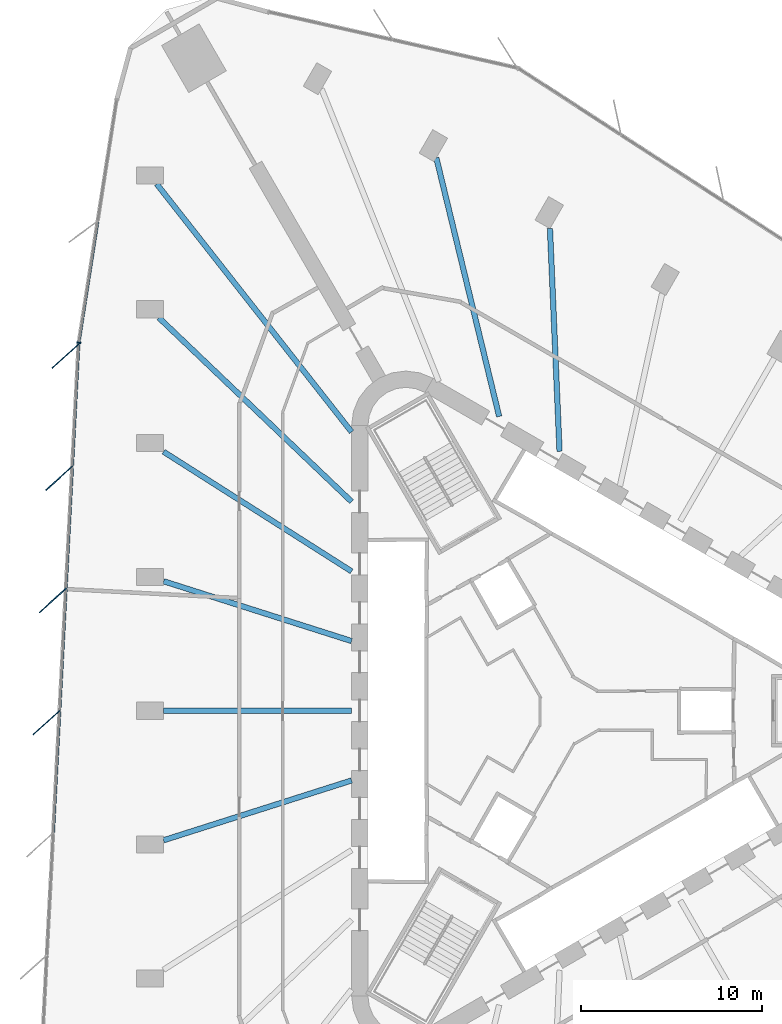
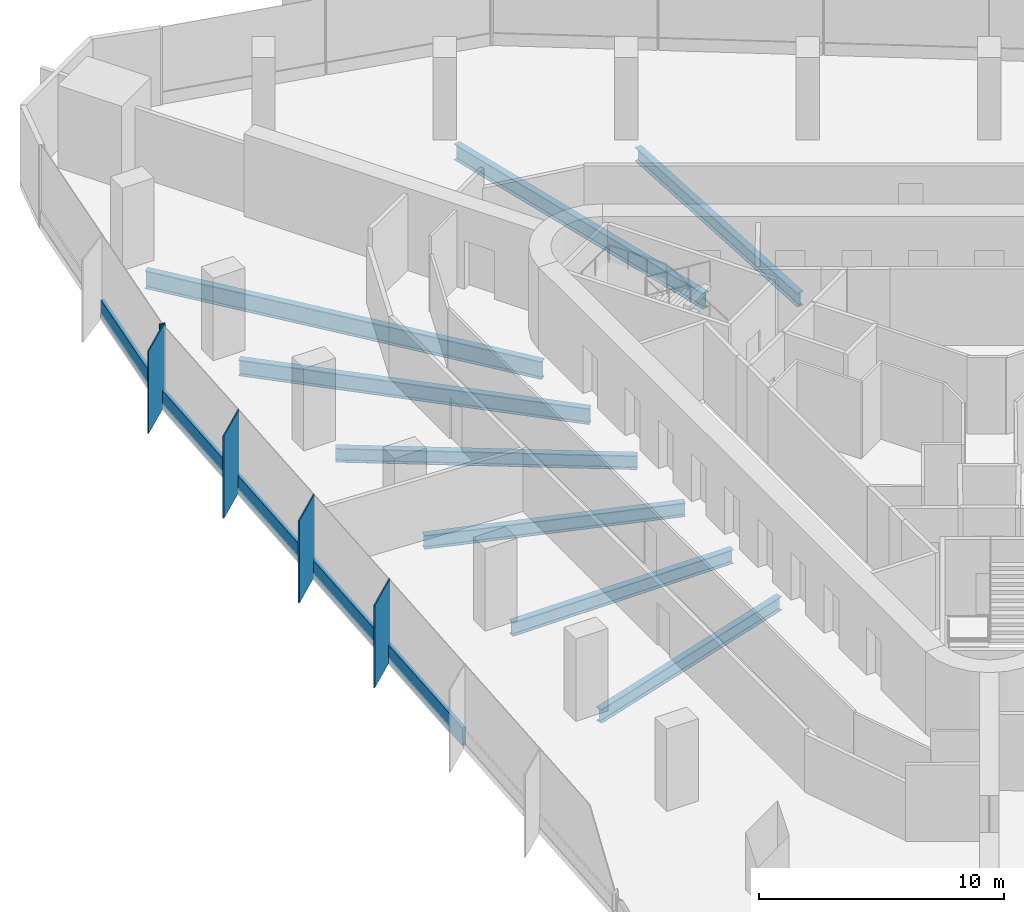
# One storey, part 4 of 14: 10 members, 8 beams, 2 elements without a shape of their own.
"""IFC4 building model written with IfcOpenShell, lengths in metres."""

from ifc_helpers import new_model, si_unit, direction, frame, origin, origin_2d, place, context, subcontext, project, spatial, rectangle, i_section, extrude, material, material_profile, profile_set, type_object, element, aggregate, save


model = new_model("IFC4")

# Units and contexts
model_context = context("Model", 3, precision=1e-05, world=origin(), true_north=direction((0.0, 1.0)))
body_context = subcontext(model_context, "Body", "Model", "MODEL_VIEW")
ifc_project = project(units=[si_unit("LENGTHUNIT", "METRE"), si_unit("AREAUNIT", "SQUARE_METRE"), si_unit("VOLUMEUNIT", "CUBIC_METRE"), si_unit("PLANEANGLEUNIT", "RADIAN"), si_unit("MASSUNIT", "GRAM", prefix="KILO")], contexts=[model_context])

# Site, building, storey
site_placement = place(None, origin())
site = spatial("IfcSite", under=ifc_project, at=site_placement, CompositionType="ELEMENT")
building_placement = place(site_placement, origin())
building = spatial("IfcBuilding", under=site, at=building_placement, Name="Tanit Gate Tower", CompositionType="ELEMENT")
storey_placement = place(building_placement, frame((0.0, 0.0, 74.199951171875)))
storey = spatial("IfcBuildingStorey", under=building, at=storey_placement, Name="L14", CompositionType="ELEMENT", Elevation=74.199951171875)

# Curtain wall, members
ifc_material_1 = material(Name="Aluminium bronze anodised and glass", Category="aluminium")
curtain_wall_type = type_object("IfcCurtainWallType", Name="Curtain wall typical low", PredefinedType="NOTDEFINED", material=ifc_material_1)
curtain_wall_1_placement = place(storey_placement, origin())
curtain_wall_1 = element("IfcCurtainWall", 1, at=curtain_wall_1_placement, inside=storey, type_object=curtain_wall_type, Name="Curtain wall L14 W2", PredefinedType="NOTDEFINED")
ifc_material_2 = material(Name="Aluminium bronze anodised", Category="aluminium")
ifc_material_profile_1 = material_profile(ifc_material_2, rectangle(XDim=2.0, YDim=0.055908203125, at=origin_2d()), Name="56x2000 bronze fin mullion")
ifc_profile_set_1 = profile_set([ifc_material_profile_1], Name="Aluminium bronze anodised")
member_type_1 = type_object("IfcMemberType", Name="FIN MULLION 56x2000 bronze", PredefinedType="MULLION", material=ifc_profile_set_1)
member_1_placement = place(storey_placement, frame((-27.902587890625, 19.58984375, -0.300048828125), z_axis=(0.0, 0.0, 1.0), x_axis=(0.742829073656, 0.66948111798, 0.0)))
member_1 = element("IfcMember", 2, at=member_1_placement, type_object=member_type_1, Name="Fin mullion L14 W2.1", PredefinedType="MULLION", context=body_context, shape_type="SweptSolid", body=[
    extrude(rectangle(XDim=2.0, YDim=0.055908203125, at=origin_2d()), origin(), (0.0, 0.0, 1.0), 4.10009765625),
])
member_2_placement = place(storey_placement, frame((-28.253173828125, 12.84228515625, -0.300048828125), z_axis=(0.0, 0.0, 1.0), x_axis=(0.742829073656, 0.66948111798, 0.0)))
member_2 = element("IfcMember", 3, at=member_2_placement, type_object=member_type_1, Name="Fin mullion L14 W2.2", PredefinedType="MULLION", context=body_context, shape_type="SweptSolid", body=[
    extrude(rectangle(XDim=2.0, YDim=0.055908203125, at=origin_2d()), origin(), (0.0, 0.0, 1.0), 4.10009765625),
])
member_3_placement = place(storey_placement, frame((-28.603515625, 6.0947265625, -0.300048828125), z_axis=(0.0, 0.0, 1.0), x_axis=(0.742829073656, 0.66948111798, 0.0)))
member_3 = element("IfcMember", 4, at=member_3_placement, type_object=member_type_1, Name="Fin mullion L14 W2.3", PredefinedType="MULLION", context=body_context, shape_type="SweptSolid", body=[
    extrude(rectangle(XDim=2.0, YDim=0.055908203125, at=origin_2d()), origin(), (0.0, 0.0, 1.0), 4.10009765625),
])
member_4_placement = place(storey_placement, frame((-28.953857421875, -0.65283203125, -0.300048828125), z_axis=(0.0, 0.0, 1.0), x_axis=(0.742829073656, 0.66948111798, 0.0)))
member_4 = element("IfcMember", 5, at=member_4_placement, type_object=member_type_1, Name="Fin mullion L14 W2.4", PredefinedType="MULLION", context=body_context, shape_type="SweptSolid", body=[
    extrude(rectangle(XDim=2.0, YDim=0.055908203125, at=origin_2d()), origin(), (0.0, 0.0, 1.0), 4.10009765625),
])

# Curtain wall, member
curtain_wall_2_placement = place(storey_placement, origin())
curtain_wall_2 = element("IfcCurtainWall", 6, at=curtain_wall_2_placement, inside=storey, type_object=curtain_wall_type, Name="Curtain wall L14 W1", PredefinedType="NOTDEFINED")
ifc_material_3 = material(Name="Aluminium bronze anodised", Category="aluminium")
ifc_material_profile_2 = material_profile(ifc_material_3, rectangle(XDim=0.239990234375, YDim=0.080078125, at=origin_2d()), Name="80x240 bronze mullion")
ifc_profile_set_2 = profile_set([ifc_material_profile_2], Name="Aluminium bronze anodised")
member_type_2 = type_object("IfcMemberType", Name="Mullion 80x240 typical low", PredefinedType="MULLION", material=ifc_profile_set_2)
member_5_placement = place(storey_placement, frame((-27.16845703125, 20.32373046875, -0.300048828125), z_axis=(0.0, 0.0, 1.0), x_axis=(0.988076704336, -0.153962418624, 0.0)))
member_5 = element("IfcMember", 7, at=member_5_placement, type_object=member_type_2, Name="Mullion L14 W1.3", PredefinedType="MULLION", context=body_context, shape_type="SweptSolid", body=[
    extrude(rectangle(XDim=0.239990234375, YDim=0.080078125, at=origin_2d()), origin(), (0.0, 0.0, 1.0), 4.10009765625),
])

# Beams
ifc_material_4 = material(Name="Steel S355", Category="steel")
ifc_material_profile_3 = material_profile(ifc_material_4, i_section(OverallWidth=0.300048828125, OverallDepth=0.68994140625, WebThickness=0.014404296875, FlangeThickness=0.027099609375, FilletRadius=0.027099609375, at=origin_2d()), Name="HEA 700")
ifc_profile_set_3 = profile_set([ifc_material_profile_3], Name="Steel S355")
beam_type_1 = type_object("IfcBeamType", Name="RADIAL GIRDER HEA 700 S355", PredefinedType="BEAM", material=ifc_profile_set_3)
beam_1_placement = place(storey_placement, frame((-22.485595703125, -7.15283203125, -0.64501953125), z_axis=(0.952942551403, 0.303150942148, 0.0), x_axis=(-0.303150942148, 0.952942551403, 0.0)))
element("IfcBeam", 8, at=beam_1_placement, inside=storey, type_object=beam_type_1, Name="RADIAL GIRDER", PredefinedType="BEAM", context=body_context, shape_type="SweptSolid", body=[
    extrude(i_section(OverallWidth=0.300048828125, OverallDepth=0.68994140625, WebThickness=0.014404296875, FlangeThickness=0.027099609375, FilletRadius=0.027099609375, at=origin_2d()), origin(), (0.0, 0.0, 1.0), 10.896240234375),
])
for number, where, z_axis, x_axis, name in (
    (9, (-1.146484375, 26.6298828125, -0.64501953125), (0.043013806202, -0.999074477942, 0.0), (0.999074477942, 0.043013806202, 0.0), "RADIAL GIRDER"),
    (10, (-22.489013671875, 14.307861328125, -0.64501953125), (0.843716193989, -0.536789515546, 0.0), (0.536789515546, 0.843716193989, 0.0), "RADIAL GIRDER"),
):
    element("IfcBeam", number, at=place(storey_placement, frame(where, z_axis=z_axis, x_axis=x_axis)), inside=storey, type_object=beam_type_1, Name=name, PredefinedType="BEAM", context=body_context, shape_type="SweptSolid", body=[
        extrude(i_section(OverallWidth=0.300048828125, OverallDepth=0.68994140625, WebThickness=0.014404296875, FlangeThickness=0.027099609375, FilletRadius=0.027099609375, at=origin_2d()), origin(), (0.0, 0.0, 1.0), 12.31103515625),
    ])
beam_2_placement = place(storey_placement, frame((-22.485595703125, 7.15283203125, -0.64501953125), z_axis=(0.952942551403, -0.303150942148, 0.0), x_axis=(0.303150942148, 0.952942551403, 0.0)))
element("IfcBeam", 11, at=beam_2_placement, inside=storey, type_object=beam_type_1, Name="RADIAL GIRDER", PredefinedType="BEAM", context=body_context, shape_type="SweptSolid", body=[
    extrude(i_section(OverallWidth=0.300048828125, OverallDepth=0.68994140625, WebThickness=0.014404296875, FlangeThickness=0.027099609375, FilletRadius=0.027099609375, at=origin_2d()), origin(), (0.0, 0.0, 1.0), 10.896240234375),
])
beam_3_placement = place(storey_placement, frame((-22.485595703125, 0.0, -0.64501953125), z_axis=(1.0, 0.0, 0.0), x_axis=(0.0, 1.0, 0.0)))
element("IfcBeam", 12, at=beam_3_placement, inside=storey, type_object=beam_type_1, Name="RADIAL GIRDER", PredefinedType="BEAM", context=body_context, shape_type="SweptSolid", body=[
    extrude(i_section(OverallWidth=0.300048828125, OverallDepth=0.68994140625, WebThickness=0.014404296875, FlangeThickness=0.027099609375, FilletRadius=0.027099609375, at=origin_2d()), origin(), (0.0, 0.0, 1.0), 10.383544921875),
])
ifc_material_5 = material(Name="Steel S355", Category="steel")
ifc_material_profile_4 = material_profile(ifc_material_5, i_section(OverallWidth=0.300048828125, OverallDepth=0.7900390625, WebThickness=0.014892578125, FlangeThickness=0.028076171875, FilletRadius=0.030029296875, at=origin_2d()), Name="HEA 800")
ifc_profile_set_4 = profile_set([ifc_material_profile_4], Name="Steel S355")
beam_type_2 = type_object("IfcBeamType", Name="RADIAL GIRDER HEA 800 S355", PredefinedType="BEAM", material=ifc_profile_set_4)
for number, where, z_axis, x_axis, name in (
    (13, (-7.423095703125, 30.541259765625, -0.695068359375), (0.236169367987, -0.971711906701, 0.0), (0.971711906701, 0.236169367987, 0.0), "RADIAL GIRDER"),
    (14, (-22.738037109375, 21.69921875, -0.695068359375), (0.723444887899, -0.690382136337, 0.0), (0.690382136337, 0.723444887899, 0.0), "RADIAL GIRDER"),
):
    element("IfcBeam", number, at=place(storey_placement, frame(where, z_axis=z_axis, x_axis=x_axis)), inside=storey, type_object=beam_type_2, Name=name, PredefinedType="BEAM", context=body_context, shape_type="SweptSolid", body=[
        extrude(i_section(OverallWidth=0.300048828125, OverallDepth=0.7900390625, WebThickness=0.014892578125, FlangeThickness=0.028076171875, FilletRadius=0.030029296875, at=origin_2d()), origin(), (0.0, 0.0, 1.0), 14.701904296875),
    ])
ifc_material_6 = material(Name="Steel S355", Category="steel")
ifc_material_profile_5 = material_profile(ifc_material_6, i_section(OverallWidth=0.300048828125, OverallDepth=0.889892578125, WebThickness=0.01611328125, FlangeThickness=0.030029296875, FilletRadius=0.030029296875, at=origin_2d()), Name="HEA 900")
ifc_profile_set_5 = profile_set([ifc_material_profile_5], Name="Steel S355")
beam_type_3 = type_object("IfcBeamType", Name="RADIAL GIRDER HEA 900 S355", PredefinedType="BEAM", material=ifc_profile_set_5)
beam_4_placement = place(storey_placement, frame((-22.8623046875, 29.0908203125, -0.744873046875), z_axis=(0.617904516847, -0.786253145024, 0.0), x_axis=(0.786253145024, 0.617904516847, 0.0)))
element("IfcBeam", 15, at=beam_4_placement, inside=storey, type_object=beam_type_3, Name="RADIAL GIRDER", PredefinedType="BEAM", context=body_context, shape_type="SweptSolid", body=[
    extrude(i_section(OverallWidth=0.300048828125, OverallDepth=0.889892578125, WebThickness=0.01611328125, FlangeThickness=0.030029296875, FilletRadius=0.030029296875, at=origin_2d()), origin(), (0.0, 0.0, 1.0), 17.4140625),
])

# Member
ifc_material_7 = material(Name="Aluminium bronze anodised", Category="aluminium")
ifc_material_profile_6 = material_profile(ifc_material_7, rectangle(XDim=0.159912109375, YDim=0.89990234375, at=origin_2d()), Name="160x900 bronze transom")
ifc_profile_set_6 = profile_set([ifc_material_profile_6], Name="Aluminium bronze anodised")
member_type_3 = type_object("IfcMemberType", Name="Transom 160x900 typical low", PredefinedType="USERDEFINED", material=ifc_profile_set_6)
member_6_placement = place(storey_placement, frame((-26.12744140625, 27.00390625, 0.150146484375), z_axis=(-0.153986803013, -0.988072904445, 0.0), x_axis=(0.988072904445, -0.153986803013, 0.0)))
member_6 = element("IfcMember", 16, at=member_6_placement, type_object=member_type_3, Name="Transom L14 W1.2", ObjectType="TRANSOM", PredefinedType="USERDEFINED", context=body_context, shape_type="SweptSolid", body=[
    extrude(rectangle(XDim=0.159912109375, YDim=0.89990234375, at=origin_2d()), origin(), (0.0, 0.0, 1.0), 6.720703125),
])

aggregate(curtain_wall_2, [member_5, member_6])

member_7_placement = place(storey_placement, frame((-27.1787109375, 20.204345703125, 0.150146484375), z_axis=(-0.051850630851, -0.998654851328, 0.0), x_axis=(0.998654851328, -0.051850630851, 0.0)))
member_7 = element("IfcMember", 17, at=member_7_placement, type_object=member_type_3, Name="Transom L14 W2.1", ObjectType="TRANSOM", PredefinedType="USERDEFINED", context=body_context, shape_type="SweptSolid", body=[
    extrude(rectangle(XDim=0.159912109375, YDim=0.89990234375, at=origin_2d()), origin(), (0.0, 0.0, 1.0), 6.6767578125),
])

member_8_placement = place(storey_placement, frame((-27.529052734375, 13.45654296875, 0.150146484375), z_axis=(-0.051887098471, -0.998652957244, 0.0), x_axis=(0.998652957244, -0.051887098471, 0.0)))
member_8 = element("IfcMember", 18, at=member_8_placement, type_object=member_type_3, Name="Transom L14 W2.2", ObjectType="TRANSOM", PredefinedType="USERDEFINED", context=body_context, shape_type="SweptSolid", body=[
    extrude(rectangle(XDim=0.159912109375, YDim=0.89990234375, at=origin_2d()), origin(), (0.0, 0.0, 1.0), 6.6767578125),
])

member_9_placement = place(storey_placement, frame((-27.879638671875, 6.708984375, 0.150146484375), z_axis=(-0.051850630851, -0.998654851328, 0.0), x_axis=(0.998654851328, -0.051850630851, 0.0)))
member_9 = element("IfcMember", 19, at=member_9_placement, type_object=member_type_3, Name="Transom L14 W2.3", ObjectType="TRANSOM", PredefinedType="USERDEFINED", context=body_context, shape_type="SweptSolid", body=[
    extrude(rectangle(XDim=0.159912109375, YDim=0.89990234375, at=origin_2d()), origin(), (0.0, 0.0, 1.0), 6.6767578125),
])

member_10_placement = place(storey_placement, frame((-28.22998046875, -0.03857421875, 0.150146484375), z_axis=(-0.051850630851, -0.998654851328, 0.0), x_axis=(0.998654851328, -0.051850630851, 0.0)))
member_10 = element("IfcMember", 20, at=member_10_placement, type_object=member_type_3, Name="Transom L14 W2.4", ObjectType="TRANSOM", PredefinedType="USERDEFINED", context=body_context, shape_type="SweptSolid", body=[
    extrude(rectangle(XDim=0.159912109375, YDim=0.89990234375, at=origin_2d()), origin(), (0.0, 0.0, 1.0), 6.6767578125),
])

aggregate(curtain_wall_1, [member_1, member_2, member_3, member_4, member_7, member_8, member_9, member_10])

save(model, "model.ifc")
